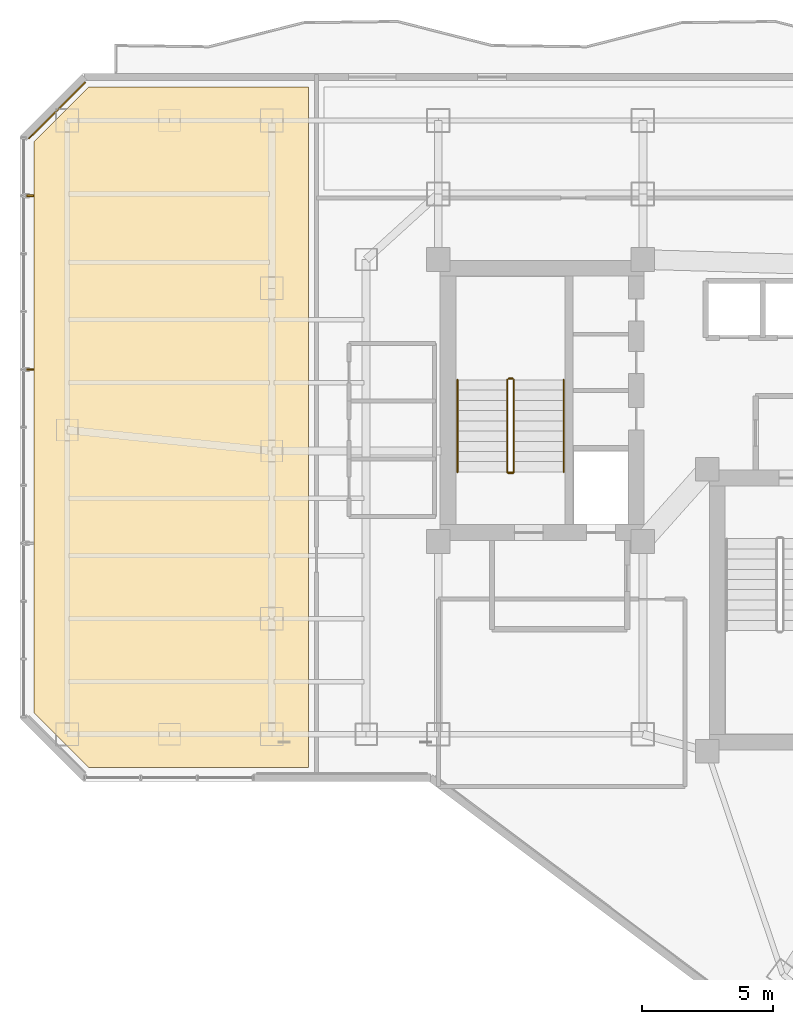
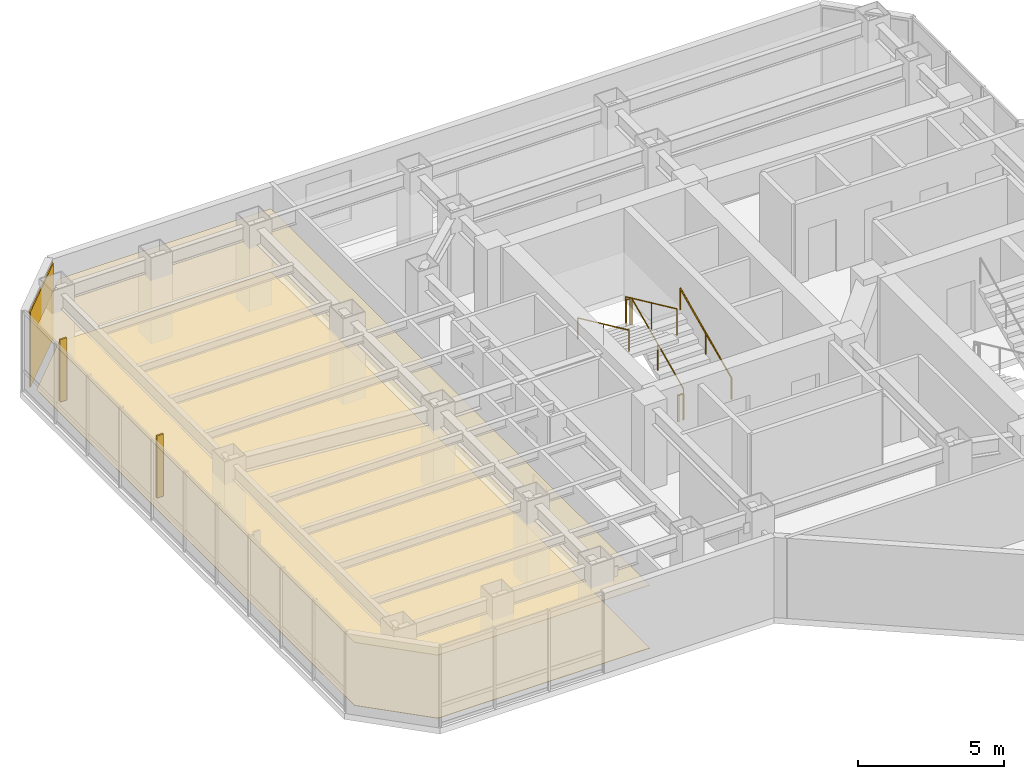
# One storey, part 28 of 29: 7 railings, 3 coverings, 2 shading devices.
"""IFC4 building model written with IfcOpenShell, lengths in metres."""

from ifc_helpers import new_model, si_unit, direction, frame, origin, origin_2d, place, context, subcontext, project, spatial, polyline, rectangle, circle, outline, extrude, material, layer, layer_set, type_object, element, save


model = new_model("IFC4")

# Units and contexts
model_context = context("Model", 3, precision=1e-05, world=origin(), true_north=direction((0.0, 1.0)))
body_context = subcontext(model_context, "Body", "Model", "MODEL_VIEW")
ifc_project = project(units=[si_unit("LENGTHUNIT", "METRE"), si_unit("AREAUNIT", "SQUARE_METRE"), si_unit("VOLUMEUNIT", "CUBIC_METRE"), si_unit("PLANEANGLEUNIT", "RADIAN"), si_unit("MASSUNIT", "GRAM", prefix="KILO")], contexts=[model_context])

# Site, building, storey
site_placement = place(None, origin())
site = spatial("IfcSite", under=ifc_project, at=site_placement, CompositionType="ELEMENT")
building_placement = place(site_placement, origin())
building = spatial("IfcBuilding", under=site, at=building_placement, Name="Hatsunagi Terrace Concourse", CompositionType="ELEMENT")
storey_placement = place(building_placement, frame((0.0, 0.0, 104.85009765625)))
storey = spatial("IfcBuildingStorey", under=building, at=storey_placement, Name="L27", CompositionType="ELEMENT", Elevation=104.85009765625)

# Coverings
ifc_material_1 = material(Name="Acoustic mineral board", Category="gypsum")
ifc_layer_1 = layer(ifc_material_1, 0.02001953125)
ifc_layer_set_1 = layer_set([ifc_layer_1], Name="AcousticMineralCeiling_20")
covering_type_1 = type_object("IfcCoveringType", Name="AcousticMineralCeiling_20", PredefinedType="CEILING", material=ifc_layer_set_1)
covering_1_placement = place(storey_placement, frame((0.0, 0.0, 2.6298828125)))
element("IfcCovering", 1, at=covering_1_placement, inside=storey, type_object=covering_type_1, Name="Suspended Ceiling L27-1", PredefinedType="CEILING", context=body_context, shape_type="SweptSolid", body=[
    extrude(outline(polyline([(10.1298828125, 26.02001953125), (12.219970703125, 23.929931640625), (20.60009765625, 23.929931640625), (20.60009765625, 49.8701171875), (12.219970703125, 49.8701171875), (10.1298828125, 47.780029296875), (10.1298828125, 26.02001953125)])), origin(), (0.0, 0.0, 1.0), 0.02001953125),
])
ifc_material_2 = material(Name="Hardwood timber", Category="wood")
ifc_layer_2 = layer(ifc_material_2, 0.014892578125)
ifc_layer_set_2 = layer_set([ifc_layer_2], Name="HardwoodTimberFlooring_15")
covering_type_2 = type_object("IfcCoveringType", Name="HardwoodTimberFlooring_15", PredefinedType="FLOORING", material=ifc_layer_set_2)
covering_2_placement = place(storey_placement, origin())
element("IfcCovering", 2, at=covering_2_placement, inside=storey, type_object=covering_type_2, Name="Finished Flooring L27-1", PredefinedType="FLOORING", context=body_context, shape_type="SweptSolid", body=[
    extrude(outline(polyline([(10.1298828125, 26.02001953125), (12.219970703125, 23.929931640625), (20.60009765625, 23.929931640625), (20.60009765625, 49.8701171875), (12.219970703125, 49.8701171875), (10.1298828125, 47.780029296875), (10.1298828125, 26.02001953125)])), origin(), (0.0, 0.0, 1.0), 0.014892578125),
])

# Railings
ifc_material_3 = material(Name="Stainless steel", Category="steel")
ifc_layer_3 = layer(ifc_material_3, 0.044921875)
ifc_layer_set_3 = layer_set([ifc_layer_3], Name="StairPitchHandrail_Tower2000")
railing_type_1 = type_object("IfcRailingType", Name="StairPitchHandrail_Tower2000", PredefinedType="HANDRAIL", material=ifc_layer_set_3)
railing_1_placement = place(storey_placement, frame((30.330078125, 35.199951171875, 0.179931640625)))
element("IfcRailing", 3, at=railing_1_placement, inside=storey, type_object=railing_type_1, Name="L27 ST-A stair handrail 1", PredefinedType="HANDRAIL", context=body_context, shape_type="SweptSolid", body=[
    extrude(circle(Radius=0.02392578125, at=origin_2d()), frame((0.0, 0.0, 0.8759765625), z_axis=(0.0, 0.907972323039, 0.419030142823), x_axis=(-1.0, 0.0, 0.0)), (0.0, 0.0, 1.0), 3.86572265625),
    extrude(circle(Radius=0.02099609375, at=origin_2d()), origin(), (0.0, 0.0, 1.0), 0.851806640625),
    extrude(circle(Radius=0.02099609375, at=origin_2d()), frame((0.0, 1.7548828125, 0.81005859375)), (0.0, 0.0, 1.0), 0.851806640625),
    extrude(circle(Radius=0.02099609375, at=origin_2d()), frame((0.0, 3.510009765625, 1.619873046875)), (0.0, 0.0, 1.0), 0.851806640625),
])
railing_2_placement = place(storey_placement, frame((26.280029296875, 38.7099609375, 1.97998046875)))
element("IfcRailing", 4, at=railing_2_placement, inside=storey, type_object=railing_type_1, Name="L27 ST-A stair handrail 2", PredefinedType="HANDRAIL", context=body_context, shape_type="SweptSolid", body=[
    extrude(circle(Radius=0.02392578125, at=origin_2d()), frame((0.0, 0.0, 0.8759765625), z_axis=(0.0, -0.907972323039, 0.419030142823), x_axis=(1.0, 0.0, 0.0)), (0.0, 0.0, 1.0), 3.86572265625),
    extrude(circle(Radius=0.02099609375, at=origin_2d()), origin(), (0.0, 0.0, 1.0), 0.851806640625),
    extrude(circle(Radius=0.02099609375, at=origin_2d()), frame((0.0, -1.7548828125, 0.81005859375)), (0.0, 0.0, 1.0), 0.851806640625),
    extrude(circle(Radius=0.02099609375, at=origin_2d()), frame((0.0, -3.510009765625, 1.619873046875)), (0.0, 0.0, 1.0), 0.851806640625),
])
ifc_material_4 = material(Name="Stainless steel", Category="steel")
ifc_layer_4 = layer(ifc_material_4, 0.06005859375)
ifc_layer_set_4 = layer_set([ifc_layer_4], Name="StairWellGuard_Tower2000")
railing_type_2 = type_object("IfcRailingType", Name="StairWellGuard_Tower2000", PredefinedType="BALUSTRADE", material=ifc_layer_set_4)
railing_3_placement = place(storey_placement, frame((28.429931640625, 35.199951171875, 0.179931640625)))
element("IfcRailing", 5, at=railing_3_placement, inside=storey, type_object=railing_type_2, Name="L27 ST-A stair guard 1", PredefinedType="BALUSTRADE", context=body_context, shape_type="SweptSolid", body=[
    extrude(circle(Radius=0.02392578125, at=origin_2d()), frame((0.0, 0.0, 1.09619140625), z_axis=(0.0, 0.907972323039, 0.419030142823), x_axis=(-1.0, 0.0, 0.0)), (0.0, 0.0, 1.0), 3.86572265625),
    extrude(circle(Radius=0.02099609375, at=origin_2d()), origin(), (0.0, 0.0, 1.0), 1.072021484375),
    extrude(circle(Radius=0.02099609375, at=origin_2d()), frame((0.0, 1.7548828125, 0.81005859375)), (0.0, 0.0, 1.0), 1.072021484375),
    extrude(circle(Radius=0.02099609375, at=origin_2d()), frame((0.0, 3.510009765625, 1.619873046875)), (0.0, 0.0, 1.0), 1.072021484375),
])
railing_4_placement = place(storey_placement, frame((28.3798828125, 38.760009765625, 1.7998046875)))
element("IfcRailing", 6, at=railing_4_placement, inside=storey, type_object=railing_type_2, Name="L27 ST-A stair guard 2", PredefinedType="BALUSTRADE", context=body_context, shape_type="SweptSolid", body=[
    extrude(circle(Radius=0.02392578125, at=origin_2d()), frame((0.0, 0.0, 1.09619140625), z_axis=(-1.0, 0.0, 0.0), x_axis=(0.0, -1.0, 0.0)), (0.0, 0.0, 1.0), 0.14990234375),
    extrude(circle(Radius=0.02099609375, at=origin_2d()), origin(), (0.0, 0.0, 1.0), 1.072021484375),
    extrude(circle(Radius=0.02099609375, at=origin_2d()), frame((-0.14990234375, 0.0, 0.0)), (0.0, 0.0, 1.0), 1.072021484375),
])
railing_5_placement = place(storey_placement, frame((28.179931640625, 38.7099609375, 1.97998046875)))
element("IfcRailing", 7, at=railing_5_placement, inside=storey, type_object=railing_type_2, Name="L27 ST-A stair guard 3", PredefinedType="BALUSTRADE", context=body_context, shape_type="SweptSolid", body=[
    extrude(circle(Radius=0.02392578125, at=origin_2d()), frame((0.0, 0.0, 1.09619140625), z_axis=(0.0, -0.907972323039, 0.419030142823), x_axis=(1.0, 0.0, 0.0)), (0.0, 0.0, 1.0), 3.86572265625),
    extrude(circle(Radius=0.02099609375, at=origin_2d()), origin(), (0.0, 0.0, 1.0), 1.072021484375),
    extrude(circle(Radius=0.02099609375, at=origin_2d()), frame((0.0, -1.7548828125, 0.81005859375)), (0.0, 0.0, 1.0), 1.072021484375),
    extrude(circle(Radius=0.02099609375, at=origin_2d()), frame((0.0, -3.510009765625, 1.619873046875)), (0.0, 0.0, 1.0), 1.072021484375),
])
railing_6_placement = place(storey_placement, frame((28.3798828125, 35.14990234375, 0.0)))
element("IfcRailing", 8, at=railing_6_placement, inside=storey, type_object=railing_type_2, Name="L27 ST-A stair guard 4", PredefinedType="BALUSTRADE", context=body_context, shape_type="SweptSolid", body=[
    extrude(circle(Radius=0.02392578125, at=origin_2d()), frame((0.0, 0.0, 1.09619140625), z_axis=(-1.0, 0.0, 0.0), x_axis=(0.0, -1.0, 0.0)), (0.0, 0.0, 1.0), 0.14990234375),
    extrude(circle(Radius=0.02099609375, at=origin_2d()), origin(), (0.0, 0.0, 1.0), 1.072021484375),
    extrude(circle(Radius=0.02099609375, at=origin_2d()), frame((-0.14990234375, 0.0, 0.0)), (0.0, 0.0, 1.0), 1.072021484375),
])
ifc_material_5 = material(Name="Stainless Steel SUS316 Post-and-Rail Guard", Category="steel")
ifc_layer_5 = layer(ifc_material_5, 0.080078125)
ifc_layer_set_5 = layer_set([ifc_layer_5], Name="TerracePlantedGuardRail_1200")
railing_type_3 = type_object("IfcRailingType", Name="TerracePlantedGuardRail_1200", PredefinedType="GUARDRAIL", material=ifc_layer_set_5)
railing_7_placement = place(storey_placement, frame((28.179931640625, 35.179931640625, 0.0)))
element("IfcRailing", 9, at=railing_7_placement, inside=storey, type_object=railing_type_3, Name="Stair ST-A Well Closure Guard L27", PredefinedType="GUARDRAIL", context=body_context, shape_type="SweptSolid", body=[
    extrude(circle(Radius=0.02392578125, at=origin_2d()), frame((0.0, 0.0, 1.09619140625), z_axis=(1.0, 0.0, 0.0), x_axis=(0.0, 1.0, 0.0)), (0.0, 0.0, 1.0), 0.25),
    extrude(circle(Radius=0.02099609375, at=origin_2d()), origin(), (0.0, 0.0, 1.0), 1.072021484375),
    extrude(circle(Radius=0.02099609375, at=origin_2d()), frame((0.25, 0.0, 0.0)), (0.0, 0.0, 1.0), 1.072021484375),
])

# Shading devices
ifc_material_6 = material(Name="Extruded Unglazed Terracotta Baguette", Category="masonry")
shading_device_type = type_object("IfcShadingDeviceType", Name="TerracottaFinScreen_260x70", PredefinedType="USERDEFINED", material=ifc_material_6)
for number, where, z_axis, x_axis, name in (
    (10, (9.989990234375, 39.10791015625, 0.849853515625), (0.0, 0.0, 1.0), (0.0, 1.0, 0.0), "Terracotta Baguette Fin Screen SCR-01"),
    (11, (9.989990234375, 45.73388671875, 0.849853515625), (0.0, 0.0, 1.0), (0.0, 1.0, 0.0), "Terracotta Baguette Fin Screen SCR-01"),
):
    element("IfcShadingDevice", number, at=place(storey_placement, frame(where, z_axis=z_axis, x_axis=x_axis)), inside=storey, type_object=shading_device_type, Name=name, ObjectType="SUNSHADE", PredefinedType="USERDEFINED", context=body_context, shape_type="SweptSolid", body=[
        extrude(rectangle(XDim=0.070068359375, YDim=0.260009765625, at=origin_2d()), origin(), (0.0, 0.0, 1.0), 2.60009765625),
    ])

# Covering
ifc_material_7 = material(Name="Unglazed Warm Terracotta Rainscreen Tile", Category="masonry")
ifc_layer_6 = layer(ifc_material_7, 0.044921875)
ifc_layer_set_6 = layer_set([ifc_layer_6], Name="TerracottaRainscreenCladding_45")
covering_type_3 = type_object("IfcCoveringType", Name="TerracottaRainscreenCladding_45", PredefinedType="CLADDING", material=ifc_layer_set_6)
covering_3_placement = place(storey_placement, frame((11.013916015625, 48.986083984375, 0.099853515625), z_axis=(0.0, 0.0, 1.0), x_axis=(0.707106781187, 0.707106781187, 0.0)))
element("IfcCovering", 12, at=covering_3_placement, inside=storey, type_object=covering_type_3, Name="Terracotta Rainscreen Cladding L27-10", PredefinedType="CLADDING", context=body_context, shape_type="SweptSolid", body=[
    extrude(rectangle(XDim=3.0380859375, YDim=0.044921875, at=origin_2d()), origin(), (0.0, 0.0, 1.0), 3.14990234375),
])

save(model, "model.ifc")
